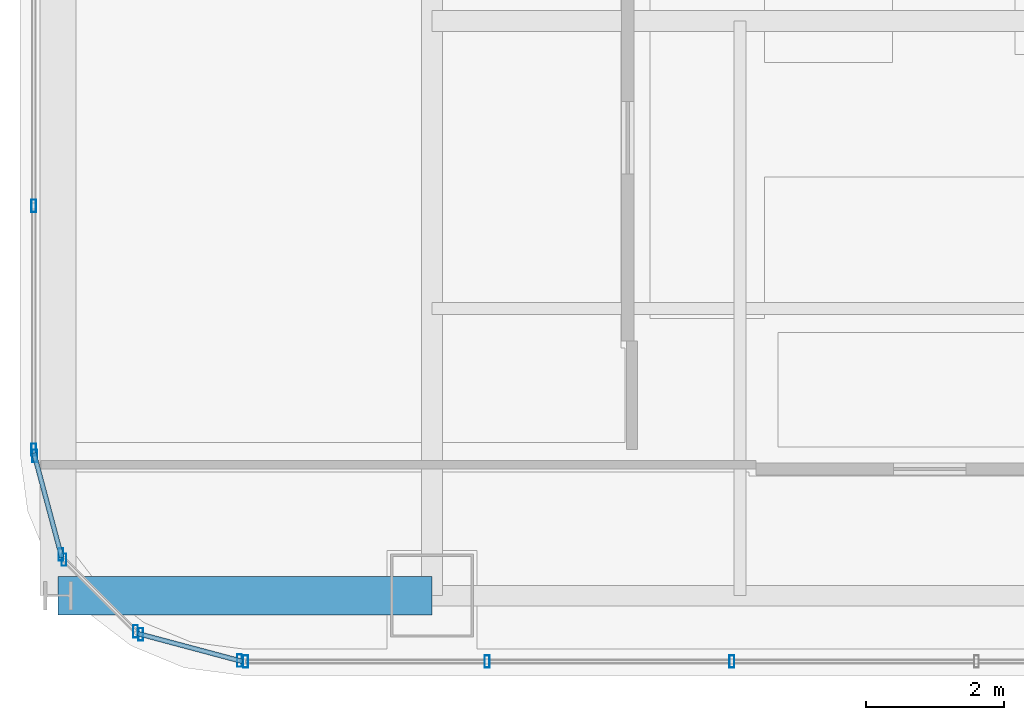
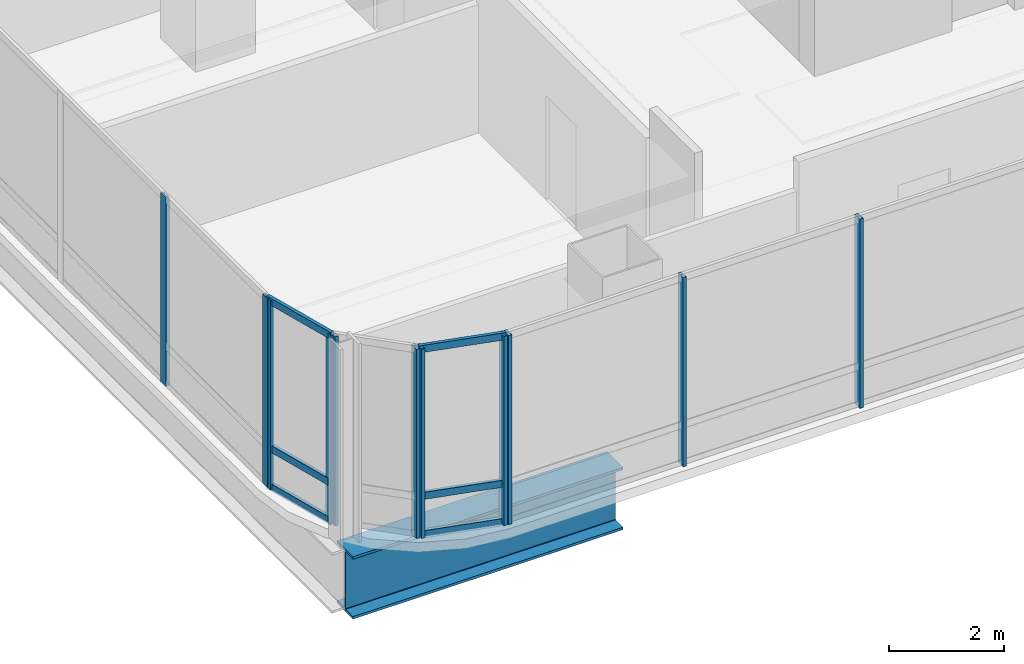
# One storey, part 2 of 42: 17 members, 1 beam, 5 elements without a shape of their own.
"""IFC4 building model written with IfcOpenShell, lengths in metres."""

import ifcopenshell
import ifcopenshell.guid

model = None  # the IFC model being written
_history = None  # IfcOwnerHistory: only IFC2X3 demands one
_inside = {}  # id of a spatial element -> (the spatial element, [elements in it])
_under = {}  # id of a project, library or spatial element -> (it, [spatial elements below it])
_declared = {}  # id of a project -> (the project, [libraries it declares])
_typed = {}  # id of a type object -> (the type object, [elements of that type])
_made_of = {}  # id of a material, layer set ... -> (it, [elements and type objects made of it])


def new_model(schema):
    """Start an empty IFC model of exactly this schema.

    Asked for "IFC4X3", IfcOpenShell would pick the latest addendum, in which some entities
    have other attributes; the version numbers below select the first issue.
    IFC2X3 requires an IfcOwnerHistory on every rooted entity: one is made here for all.
    """
    global model, _history
    if schema == "IFC4X3":
        model = ifcopenshell.file(schema_version=(4, 3, 0, 0))
    else:
        model = ifcopenshell.file(schema=schema)
    _inside.clear()
    _under.clear()
    _declared.clear()
    _typed.clear()
    _made_of.clear()
    _history = None
    if model.schema == "IFC2X3":
        org = make("IfcOrganization", Name="unknown")
        user = make(
            "IfcPersonAndOrganization",
            ThePerson=make("IfcPerson", FamilyName="unknown"),
            TheOrganization=org,
        )
        app = make(
            "IfcApplication",
            ApplicationDeveloper=org,
            Version="unknown",
            ApplicationFullName="unknown",
            ApplicationIdentifier="unknown",
        )
        _history = make(
            "IfcOwnerHistory",
            OwningUser=user,
            OwningApplication=app,
            ChangeAction="ADDED",
            CreationDate=0,
        )
    return model


def make(cls, **values):
    """One entity of the class cls with the attributes given. An attribute that is None is left unset."""
    return model.create_entity(
        cls, **{name: value for name, value in values.items() if value is not None}
    )


def rooted(cls, **values):
    """An entity with a GlobalId (a new one), such as an element, a storey or a relation."""
    return make(cls, GlobalId=ifcopenshell.guid.new(), OwnerHistory=_history, **values)


def si_unit(unit_type, name, prefix=None):
    """IfcSIUnit, for example si_unit("LENGTHUNIT", "METRE", prefix="MILLI")."""
    return make("IfcSIUnit", UnitType=unit_type, Prefix=prefix, Name=name)


def assignment(units):
    """IfcUnitAssignment: the units of a project."""
    return None if units is None else make("IfcUnitAssignment", Units=units)


def point(xyz):
    """IfcCartesianPoint."""
    return None if xyz is None else make("IfcCartesianPoint", Coordinates=xyz)


def direction(xyz):
    """IfcDirection."""
    return None if xyz is None else make("IfcDirection", DirectionRatios=xyz)


def frame(location, z_axis=None, x_axis=None):
    """IfcAxis2Placement3D, a coordinate frame: its origin and axes. An axis left out is left unset."""
    return make(
        "IfcAxis2Placement3D",
        Location=point(location),
        Axis=direction(z_axis),
        RefDirection=direction(x_axis),
    )


def frame_2d(location, x_axis=None):
    """IfcAxis2Placement2D, a coordinate frame in the plane: its origin and x axis."""
    return make(
        "IfcAxis2Placement2D", Location=point(location), RefDirection=direction(x_axis)
    )


def origin():
    """The frame at (0, 0, 0) with its axes left unset."""
    return frame((0.0, 0.0, 0.0))


def origin_2d():
    """The frame at (0, 0) in the plane with its x axis left unset."""
    return frame_2d((0.0, 0.0))


def place(relative_to, where):
    """IfcLocalPlacement: puts the frame where relative to a parent placement (None: the world)."""
    return make(
        "IfcLocalPlacement", PlacementRelTo=relative_to, RelativePlacement=where
    )


def context(
    kind, dimensions, precision=None, world=None, true_north=None, identifier=None
):
    """IfcGeometricRepresentationContext, for example the 3D "Model" context."""
    return make(
        "IfcGeometricRepresentationContext",
        ContextIdentifier=identifier,
        ContextType=kind,
        CoordinateSpaceDimension=dimensions,
        Precision=precision,
        WorldCoordinateSystem=world,
        TrueNorth=true_north,
    )


def subcontext(parent, identifier, kind, view, scale=None):
    """IfcGeometricRepresentationSubContext, for example "Body" below "Model"."""
    return make(
        "IfcGeometricRepresentationSubContext",
        ContextIdentifier=identifier,
        ContextType=kind,
        ParentContext=parent,
        TargetScale=scale,
        TargetView=view,
    )


def project(units=None, contexts=None):
    """IfcProject with its units and contexts."""
    return rooted(
        "IfcProject",
        Name="project",
        RepresentationContexts=contexts,
        UnitsInContext=assignment(units),
    )


def spatial(cls, under=None, at=None, **own):
    """A site, building, storey or space (cls), placed at a placement, below another one or the project."""
    s = rooted(cls, ObjectPlacement=at, **own)
    if under is not None:
        _under.setdefault(under.id(), (under, []))[1].append(s)
    return s


def profile(cls, at=None, kind="AREA", **sizes):
    """A parametric profile (cls). Its sizes go by their IFC names, for example OverallWidth=200.0."""
    return make(cls, ProfileType=kind, Position=at, **sizes)


def hollow_rectangle(**sizes):
    """IfcRectangleHollowProfileDef."""
    return profile("IfcRectangleHollowProfileDef", **sizes)


def i_section(**sizes):
    """IfcIShapeProfileDef."""
    return profile("IfcIShapeProfileDef", **sizes)


def extrude(swept, where, along, depth):
    """IfcExtrudedAreaSolid: the profile swept, set in the frame where, extruded along a direction by depth."""
    return make(
        "IfcExtrudedAreaSolid",
        SweptArea=swept,
        Position=where,
        ExtrudedDirection=direction(along),
        Depth=depth,
    )


def shape(context_of_items, identifier, shape_type, items):
    """IfcShapeRepresentation: the items that make up one representation, for example the "Body"."""
    return make(
        "IfcShapeRepresentation",
        ContextOfItems=context_of_items,
        RepresentationIdentifier=identifier,
        RepresentationType=shape_type,
        Items=items,
    )


def material(Name=None, Category=None):
    """IfcMaterial."""
    return make("IfcMaterial", Name=Name, Category=Category)


def material_profile(
    of_material, cross_section, Name=None, Category=None, Priority=None
):
    """IfcMaterialProfile: a cross section and its material."""
    return make(
        "IfcMaterialProfile",
        Name=Name,
        Material=of_material,
        Profile=cross_section,
        Priority=Priority,
        Category=Category,
    )


def profile_set(profiles, Name=None, composite=None):
    """IfcMaterialProfileSet."""
    return make(
        "IfcMaterialProfileSet",
        Name=Name,
        MaterialProfiles=profiles,
        CompositeProfile=composite,
    )


def made_of(thing, what):
    """Note that an element or type object is made of a material, layer set ...; save() writes the relation."""
    if what is not None:
        _made_of.setdefault(what.id(), (what, []))[1].append(thing)
    return thing


def type_object(cls, material=None, **own):
    """A type object (cls), such as IfcWallType, which elements share."""
    return made_of(rooted(cls, **own), material)


def element(
    cls,
    number,
    at=None,
    inside=None,
    cuts=None,
    type_object=None,
    material=None,
    context=None,
    identifier="Body",
    shape_type=None,
    held_by="IfcProductDefinitionShape",
    body=None,
    shapes=None,
    **own,
):
    """One element of the class cls, such as IfcWall. Its Tag is "e" and its number.

    at: its placement. inside: the storey or other place that contains it. cuts: it is an
    opening in that element (IfcRelVoidsElement). A single representation is given by context,
    identifier, shape_type and body (its items); several are given by shapes. held_by: the class
    of the entity that holds the representations. save() writes the other relations.
    """
    e = rooted(cls, Tag="e%d" % number, ObjectPlacement=at, **own)
    if body is not None:
        shapes = [shape(context, identifier, shape_type, body)]
    if shapes is not None:
        e.Representation = make(held_by, Representations=shapes)
    if inside is not None:
        _inside.setdefault(inside.id(), (inside, []))[1].append(e)
    if cuts is not None:
        rooted(
            "IfcRelVoidsElement", RelatingBuildingElement=cuts, RelatedOpeningElement=e
        )
    if type_object is not None:
        _typed.setdefault(type_object.id(), (type_object, []))[1].append(e)
    return made_of(e, material)


def aggregate(whole, parts):
    """IfcRelAggregates: a whole, such as a stair, and the parts it consists of."""
    return rooted("IfcRelAggregates", RelatingObject=whole, RelatedObjects=parts)


def save(model, path):
    """Write the relations noted so far, then the file.

    IfcRelAggregates (storeys below a building ...), IfcRelContainedInSpatialStructure (elements
    in a storey), IfcRelDefinesByType, IfcRelAssociatesMaterial and IfcRelDeclares: one each for
    every whole, place, type object, material and project.
    """
    for whole, parts in _under.values():
        aggregate(whole, parts)
    for where, things in _inside.values():
        rooted(
            "IfcRelContainedInSpatialStructure",
            RelatedElements=things,
            RelatingStructure=where,
        )
    for kind, things in _typed.values():
        rooted("IfcRelDefinesByType", RelatedObjects=things, RelatingType=kind)
    for what, things in _made_of.values():
        rooted("IfcRelAssociatesMaterial", RelatedObjects=things, RelatingMaterial=what)
    for by, libraries in _declared.values():
        rooted("IfcRelDeclares", RelatingContext=by, RelatedDefinitions=libraries)
    model.write(path)


model = new_model("IFC4")

# Units and contexts
model_context = context("Model", 3, precision=1e-05, world=origin(), true_north=direction((0.0, 1.0)))
body_context = subcontext(model_context, "Body", "Model", "MODEL_VIEW")
ifc_project = project(units=[si_unit("LENGTHUNIT", "METRE"), si_unit("AREAUNIT", "SQUARE_METRE"), si_unit("VOLUMEUNIT", "CUBIC_METRE"), si_unit("PLANEANGLEUNIT", "RADIAN"), si_unit("MASSUNIT", "GRAM", prefix="KILO")], contexts=[model_context])

# Site, building, storey
site_placement = place(None, origin())
site = spatial("IfcSite", under=ifc_project, at=site_placement, CompositionType="ELEMENT")
building_placement = place(site_placement, origin())
building = spatial("IfcBuilding", under=site, at=building_placement, Name="Punatoya Terracotta Tower", CompositionType="ELEMENT")
storey_placement = place(building_placement, frame((0.0, 0.0, 296.39990234375)))
storey = spatial("IfcBuildingStorey", under=building, at=storey_placement, Name="L70", CompositionType="ELEMENT", Elevation=296.39990234375)

# Beam
ifc_material_1 = material(Name="Steel S460", Category="steel")
ifc_material_profile_1 = material_profile(ifc_material_1, i_section(OverallWidth=0.56005859375, OverallDepth=1.320068359375, WebThickness=0.035888671875, FlangeThickness=0.054931640625, FilletRadius=0.01806640625, at=origin_2d()))
ifc_profile_set_1 = profile_set([ifc_material_profile_1], Name="Steel S460")
beam_type = type_object("IfcBeamType", Name="BM-TG-BLK", PredefinedType="BEAM", material=ifc_profile_set_1)
beam_placement = place(storey_placement, frame((-24.5, -17.5, -0.85986328125), z_axis=(1.0, 0.0, 0.0), x_axis=(0.0, 1.0, 0.0)))
element("IfcBeam", 1, at=beam_placement, inside=storey, type_object=beam_type, Name="BM-L70-CANT-W1", PredefinedType="BEAM", context=body_context, shape_type="SweptSolid", body=[
    extrude(i_section(OverallWidth=0.56005859375, OverallDepth=1.320068359375, WebThickness=0.035888671875, FlangeThickness=0.054931640625, FilletRadius=0.01806640625, at=origin_2d()), origin(), (0.0, 0.0, 1.0), 5.39990234375),
])

# Curtain wall, members
ifc_material_2 = material(Name="Aluminium 6063-T6 + Double Low-E Glass", Category="aluminium")
curtain_wall_type = type_object("IfcCurtainWallType", Name="CW-M3", PredefinedType="NOTDEFINED", material=ifc_material_2)
curtain_wall_1_placement = place(storey_placement, origin())
curtain_wall_1 = element("IfcCurtainWall", 2, at=curtain_wall_1_placement, inside=storey, type_object=curtain_wall_type, Name="L70 Curtain Wall CW-L70-S01-1", PredefinedType="NOTDEFINED")
ifc_material_3 = material(Name="Aluminium 6063-T6", Category="aluminium")
ifc_material_profile_2 = material_profile(ifc_material_3, hollow_rectangle(XDim=0.070068359375, YDim=0.179931640625, WallThickness=0.00390625, at=origin_2d()))
ifc_profile_set_2 = profile_set([ifc_material_profile_2], Name="Aluminium 6063-T6")
member_type_1 = type_object("IfcMemberType", Name="CW-MUL-M3", PredefinedType="MULLION", material=ifc_profile_set_2)
member_1_placement = place(storey_placement, frame((-21.7919921875, -18.449951171875, 0.0), z_axis=(0.0, 0.0, 1.0), x_axis=(1.0, 0.0, 0.0)))
member_1 = element("IfcMember", 3, at=member_1_placement, type_object=member_type_1, Name="CW-L70-S01-1 Mullion 00", PredefinedType="MULLION", context=body_context, shape_type="SweptSolid", body=[
    extrude(hollow_rectangle(XDim=0.070068359375, YDim=0.179931640625, WallThickness=0.00390625, at=origin_2d()), origin(), (0.0, 0.0, 1.0), 4.0),
])
member_2_placement = place(storey_placement, frame((-18.302978515625, -18.449951171875, 0.0), z_axis=(0.0, 0.0, 1.0), x_axis=(1.0, 0.0, 0.0)))
member_2 = element("IfcMember", 4, at=member_2_placement, type_object=member_type_1, Name="CW-L70-S01-1 Mullion 01", PredefinedType="MULLION", context=body_context, shape_type="SweptSolid", body=[
    extrude(hollow_rectangle(XDim=0.070068359375, YDim=0.179931640625, WallThickness=0.00390625, at=origin_2d()), origin(), (0.0, 0.0, 1.0), 4.0),
])
member_3_placement = place(storey_placement, frame((-14.768798828125, -18.449951171875, 0.0), z_axis=(0.0, 0.0, 1.0), x_axis=(1.0, 0.0, 0.0)))
member_3 = element("IfcMember", 5, at=member_3_placement, type_object=member_type_1, Name="CW-L70-S01-1 Mullion 02", PredefinedType="MULLION", context=body_context, shape_type="SweptSolid", body=[
    extrude(hollow_rectangle(XDim=0.070068359375, YDim=0.179931640625, WallThickness=0.00390625, at=origin_2d()), origin(), (0.0, 0.0, 1.0), 4.0),
])
aggregate(curtain_wall_1, [member_1, member_2, member_3])

curtain_wall_2_placement = place(storey_placement, origin())
curtain_wall_2 = element("IfcCurtainWall", 6, at=curtain_wall_2_placement, inside=storey, type_object=curtain_wall_type, Name="L70 Curtain Wall CW-L70-W13-1", PredefinedType="NOTDEFINED")
member_4_placement = place(storey_placement, frame((-24.85009765625, -11.869384765625, 0.0), z_axis=(0.0, 0.0, 1.0), x_axis=(1.0, 0.0, 0.0)))
member_4 = element("IfcMember", 7, at=member_4_placement, type_object=member_type_1, Name="CW-L70-W13-1 Mullion 09", PredefinedType="MULLION", context=body_context, shape_type="SweptSolid", body=[
    extrude(hollow_rectangle(XDim=0.070068359375, YDim=0.179931640625, WallThickness=0.00390625, at=origin_2d()), origin(), (0.0, 0.0, 1.0), 4.0),
])
member_5_placement = place(storey_placement, frame((-24.85009765625, -15.391845703125, 0.0), z_axis=(0.0, 0.0, 1.0), x_axis=(1.0, 0.0, 0.0)))
member_5 = element("IfcMember", 8, at=member_5_placement, type_object=member_type_1, Name="CW-L70-W13-1 Mullion 10", PredefinedType="MULLION", context=body_context, shape_type="SweptSolid", body=[
    extrude(hollow_rectangle(XDim=0.070068359375, YDim=0.179931640625, WallThickness=0.00390625, at=origin_2d()), origin(), (0.0, 0.0, 1.0), 4.0),
])
aggregate(curtain_wall_2, [member_4, member_5])

curtain_wall_3_placement = place(storey_placement, origin())
curtain_wall_3 = element("IfcCurtainWall", 9, at=curtain_wall_3_placement, inside=storey, type_object=curtain_wall_type, Name="L70 Curtain Wall CW-L70-CRN14", PredefinedType="NOTDEFINED")
member_6_placement = place(storey_placement, frame((-24.83837890625, -15.48046875, 0.0), z_axis=(0.0, 0.0, 1.0), x_axis=(1.0, 0.0, 0.0)))
member_6 = element("IfcMember", 10, at=member_6_placement, type_object=member_type_1, Name="CW-L70-CRN14 Mullion 00", PredefinedType="MULLION", context=body_context, shape_type="SweptSolid", body=[
    extrude(hollow_rectangle(XDim=0.070068359375, YDim=0.179931640625, WallThickness=0.00390625, at=origin_2d()), origin(), (0.0, 0.0, 1.0), 4.0),
])
member_7_placement = place(storey_placement, frame((-24.458251953125, -16.905517578125, 0.0), z_axis=(0.0, 0.0, 1.0), x_axis=(1.0, 0.0, 0.0)))
member_7 = element("IfcMember", 11, at=member_7_placement, type_object=member_type_1, Name="CW-L70-CRN14 Mullion 01", PredefinedType="MULLION", context=body_context, shape_type="SweptSolid", body=[
    extrude(hollow_rectangle(XDim=0.070068359375, YDim=0.179931640625, WallThickness=0.00390625, at=origin_2d()), origin(), (0.0, 0.0, 1.0), 4.0),
])

curtain_wall_4_placement = place(storey_placement, origin())
curtain_wall_4 = element("IfcCurtainWall", 12, at=curtain_wall_4_placement, inside=storey, type_object=curtain_wall_type, Name="L70 Curtain Wall CW-L70-CRN15", PredefinedType="NOTDEFINED")
member_8_placement = place(storey_placement, frame((-24.414794921875, -16.98095703125, 0.0), z_axis=(0.0, 0.0, 1.0), x_axis=(1.0, 0.0, 0.0)))
member_8 = element("IfcMember", 13, at=member_8_placement, type_object=member_type_1, Name="CW-L70-CRN15 Mullion 00", PredefinedType="MULLION", context=body_context, shape_type="SweptSolid", body=[
    extrude(hollow_rectangle(XDim=0.070068359375, YDim=0.179931640625, WallThickness=0.00390625, at=origin_2d()), origin(), (0.0, 0.0, 1.0), 4.0),
])
member_9_placement = place(storey_placement, frame((-23.380859375, -18.014892578125, 0.0), z_axis=(0.0, 0.0, 1.0), x_axis=(1.0, 0.0, 0.0)))
member_9 = element("IfcMember", 14, at=member_9_placement, type_object=member_type_1, Name="CW-L70-CRN15 Mullion 01", PredefinedType="MULLION", context=body_context, shape_type="SweptSolid", body=[
    extrude(hollow_rectangle(XDim=0.070068359375, YDim=0.179931640625, WallThickness=0.00390625, at=origin_2d()), origin(), (0.0, 0.0, 1.0), 4.0),
])
aggregate(curtain_wall_4, [member_8, member_9])

curtain_wall_5_placement = place(storey_placement, origin())
curtain_wall_5 = element("IfcCurtainWall", 15, at=curtain_wall_5_placement, inside=storey, type_object=curtain_wall_type, Name="L70 Curtain Wall CW-L70-CRN16", PredefinedType="NOTDEFINED")
member_10_placement = place(storey_placement, frame((-23.3056640625, -18.05810546875, 0.0), z_axis=(0.0, 0.0, 1.0), x_axis=(1.0, 0.0, 0.0)))
member_10 = element("IfcMember", 16, at=member_10_placement, type_object=member_type_1, Name="CW-L70-CRN16 Mullion 00", PredefinedType="MULLION", context=body_context, shape_type="SweptSolid", body=[
    extrude(hollow_rectangle(XDim=0.070068359375, YDim=0.179931640625, WallThickness=0.00390625, at=origin_2d()), origin(), (0.0, 0.0, 1.0), 4.0),
])
member_11_placement = place(storey_placement, frame((-21.88037109375, -18.4384765625, 0.0), z_axis=(0.0, 0.0, 1.0), x_axis=(1.0, 0.0, 0.0)))
member_11 = element("IfcMember", 17, at=member_11_placement, type_object=member_type_1, Name="CW-L70-CRN16 Mullion 01", PredefinedType="MULLION", context=body_context, shape_type="SweptSolid", body=[
    extrude(hollow_rectangle(XDim=0.070068359375, YDim=0.179931640625, WallThickness=0.00390625, at=origin_2d()), origin(), (0.0, 0.0, 1.0), 4.0),
])

# Member
ifc_material_profile_3 = material_profile(ifc_material_3, hollow_rectangle(XDim=0.068115234375, YDim=0.14990234375, WallThickness=0.00390625, at=origin_2d()))
ifc_profile_set_3 = profile_set([ifc_material_profile_3], Name="Aluminium 6063-T6")
member_type_2 = type_object("IfcMemberType", Name="CW-TRN-TYP", PredefinedType="USERDEFINED", material=ifc_profile_set_3)
member_12_placement = place(storey_placement, frame((-24.85009765625, -15.43701171875, 0.0400390625), z_axis=(0.257847112249, -0.966185730957, 0.0), x_axis=(0.966185730957, 0.257847112249, 0.0)))
member_12 = element("IfcMember", 18, at=member_12_placement, type_object=member_type_2, Name="CW-L70-CRN14 Transom 1", ObjectType="TRANSOM", PredefinedType="USERDEFINED", context=body_context, shape_type="SweptSolid", body=[
    extrude(hollow_rectangle(XDim=0.068115234375, YDim=0.14990234375, WallThickness=0.00390625, at=origin_2d()), origin(), (0.0, 0.0, 1.0), 1.565185546875),
])

member_13_placement = place(storey_placement, frame((-24.85009765625, -15.43701171875, 0.85009765625), z_axis=(0.257847112249, -0.966185730957, 0.0), x_axis=(0.966185730957, 0.257847112249, 0.0)))
member_13 = element("IfcMember", 19, at=member_13_placement, type_object=member_type_2, Name="CW-L70-CRN14 Transom 2", ObjectType="TRANSOM", PredefinedType="USERDEFINED", context=body_context, shape_type="SweptSolid", body=[
    extrude(hollow_rectangle(XDim=0.068115234375, YDim=0.14990234375, WallThickness=0.00390625, at=origin_2d()), origin(), (0.0, 0.0, 1.0), 1.565185546875),
])

member_14_placement = place(storey_placement, frame((-24.85009765625, -15.43701171875, 3.960205078125), z_axis=(0.257847112249, -0.966185730957, 0.0), x_axis=(0.966185730957, 0.257847112249, 0.0)))
member_14 = element("IfcMember", 20, at=member_14_placement, type_object=member_type_2, Name="CW-L70-CRN14 Transom 3", ObjectType="TRANSOM", PredefinedType="USERDEFINED", context=body_context, shape_type="SweptSolid", body=[
    extrude(hollow_rectangle(XDim=0.068115234375, YDim=0.14990234375, WallThickness=0.00390625, at=origin_2d()), origin(), (0.0, 0.0, 1.0), 1.565185546875),
])

aggregate(curtain_wall_3, [member_6, member_7, member_12, member_13, member_14])

member_15_placement = place(storey_placement, frame((-23.34912109375, -18.046630859375, 0.0400390625), z_axis=(0.966224582397, -0.257701486942, 0.0), x_axis=(0.257701486942, 0.966224582397, 0.0)))
member_15 = element("IfcMember", 21, at=member_15_placement, type_object=member_type_2, Name="CW-L70-CRN16 Transom 1", ObjectType="TRANSOM", PredefinedType="USERDEFINED", context=body_context, shape_type="SweptSolid", body=[
    extrude(hollow_rectangle(XDim=0.068115234375, YDim=0.14990234375, WallThickness=0.00390625, at=origin_2d()), origin(), (0.0, 0.0, 1.0), 1.565185546875),
])

member_16_placement = place(storey_placement, frame((-23.34912109375, -18.046630859375, 0.85009765625), z_axis=(0.966224582397, -0.257701486942, 0.0), x_axis=(0.257701486942, 0.966224582397, 0.0)))
member_16 = element("IfcMember", 22, at=member_16_placement, type_object=member_type_2, Name="CW-L70-CRN16 Transom 2", ObjectType="TRANSOM", PredefinedType="USERDEFINED", context=body_context, shape_type="SweptSolid", body=[
    extrude(hollow_rectangle(XDim=0.068115234375, YDim=0.14990234375, WallThickness=0.00390625, at=origin_2d()), origin(), (0.0, 0.0, 1.0), 1.565185546875),
])

member_17_placement = place(storey_placement, frame((-23.34912109375, -18.046630859375, 3.960205078125), z_axis=(0.966224582397, -0.257701486942, 0.0), x_axis=(0.257701486942, 0.966224582397, 0.0)))
member_17 = element("IfcMember", 23, at=member_17_placement, type_object=member_type_2, Name="CW-L70-CRN16 Transom 3", ObjectType="TRANSOM", PredefinedType="USERDEFINED", context=body_context, shape_type="SweptSolid", body=[
    extrude(hollow_rectangle(XDim=0.068115234375, YDim=0.14990234375, WallThickness=0.00390625, at=origin_2d()), origin(), (0.0, 0.0, 1.0), 1.565185546875),
])

aggregate(curtain_wall_5, [member_10, member_11, member_15, member_16, member_17])

save(model, "model.ifc")
